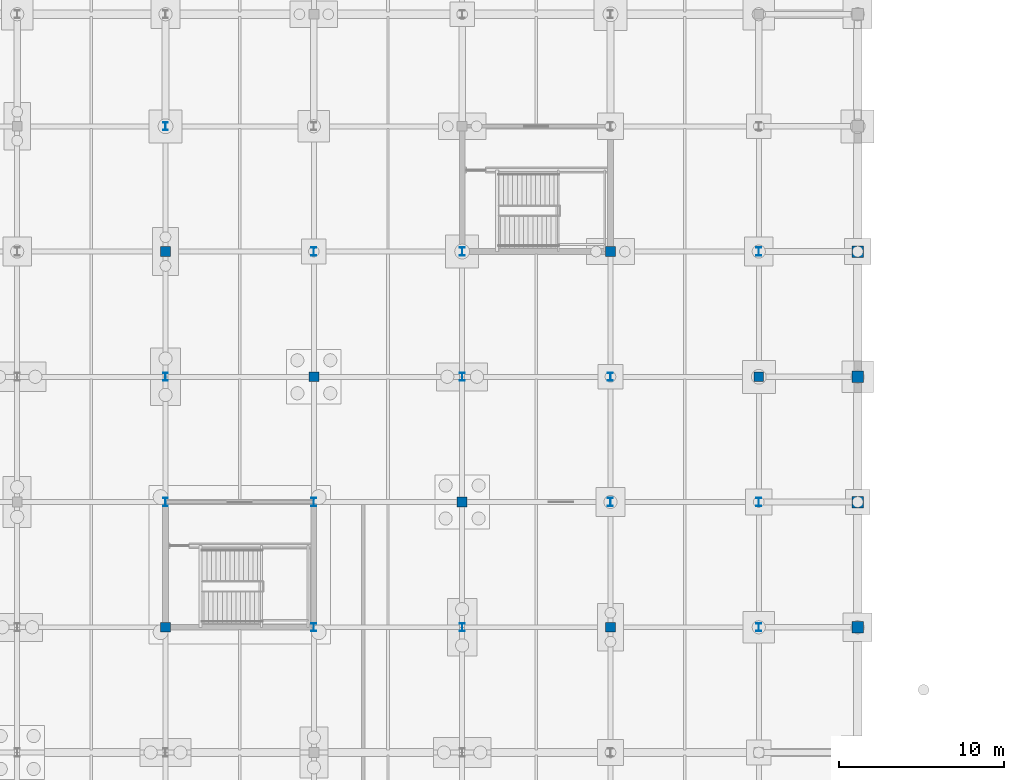
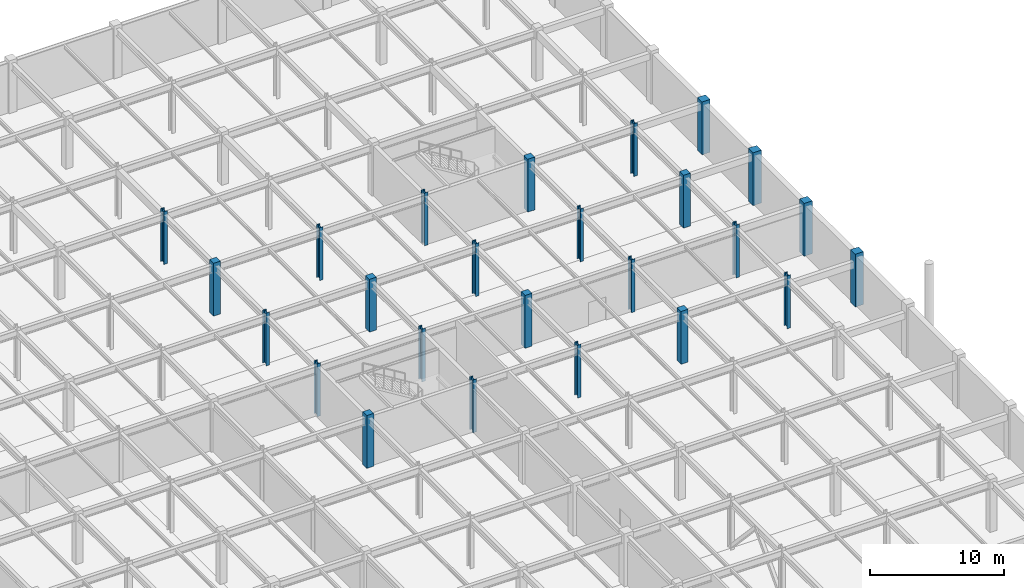
# One storey, part 27 of 53: 25 columns.
"""IFC4 building model written with IfcOpenShell, lengths in metres."""

from ifc_helpers import new_model, si_unit, direction, frame, origin, origin_2d, place, context, subcontext, project, spatial, rectangle, i_section, extrude, material, material_profile, profile_set, type_object, element, save


model = new_model("IFC4")

# Units and contexts
model_context = context("Model", 3, precision=1e-05, world=origin(), true_north=direction((0.0, 1.0)))
body_context = subcontext(model_context, "Body", "Model", "MODEL_VIEW")
ifc_project = project(units=[si_unit("LENGTHUNIT", "METRE"), si_unit("AREAUNIT", "SQUARE_METRE"), si_unit("VOLUMEUNIT", "CUBIC_METRE"), si_unit("PLANEANGLEUNIT", "RADIAN"), si_unit("MASSUNIT", "GRAM", prefix="KILO")], contexts=[model_context])

# Site, building, storey
site_placement = place(None, origin())
site = spatial("IfcSite", under=ifc_project, at=site_placement, CompositionType="ELEMENT")
building_placement = place(site_placement, origin())
building = spatial("IfcBuilding", under=site, at=building_placement, Name="Shalkamar Park Central Library", CompositionType="ELEMENT")
storey_placement = place(building_placement, frame((0.0, 0.0, -4.800048828125)))
storey = spatial("IfcBuildingStorey", under=building, at=storey_placement, Name="B1", CompositionType="ELEMENT", Elevation=-4.800048828125)

# Columns
ifc_material_1 = material(Name="Concrete C40/50", Category="concrete")
ifc_material_profile_1 = material_profile(ifc_material_1, rectangle(XDim=0.60009765625, YDim=0.60009765625, at=origin_2d()), Name="RC 600x600")
ifc_profile_set_1 = profile_set([ifc_material_profile_1], Name="Concrete C40/50")
column_type_1 = type_object("IfcColumnType", Name="Column Concrete RC600", PredefinedType="COLUMN", material=ifc_profile_set_1)
for number, where, z_axis, x_axis, name in (
    (1, (246.0, 300.800048828125, 0.0), (0.0, 0.0, 1.0), (1.0, 0.0, 0.0), "Column 17/J (B1)"),
    (2, (246.0, 323.60009765625, 0.0), (0.0, 0.0, 1.0), (1.0, 0.0, 0.0), "Column 17/M (B1)"),
    (3, (255.0, 316.0, 0.0), (0.0, 0.0, 1.0), (1.0, 0.0, 0.0), "Column 18/L (B1)"),
    (4, (264.0, 308.39990234375, 0.0), (0.0, 0.0, 1.0), (1.0, 0.0, 0.0), "Column 19/K (B1)"),
    (5, (273.0, 300.800048828125, 0.0), (0.0, 0.0, 1.0), (1.0, 0.0, 0.0), "Column 20/J (B1)"),
    (6, (273.0, 323.60009765625, 0.0), (0.0, 0.0, 1.0), (1.0, 0.0, 0.0), "Column 20/M (B1)"),
    (7, (282.0, 316.0, 0.0), (0.0, 0.0, 1.0), (1.0, 0.0, 0.0), "Column 21/L (B1)"),
):
    element("IfcColumn", number, at=place(storey_placement, frame(where, z_axis=z_axis, x_axis=x_axis)), inside=storey, type_object=column_type_1, Name=name, PredefinedType="COLUMN", context=body_context, shape_type="SweptSolid", body=[
        extrude(rectangle(XDim=0.60009765625, YDim=0.60009765625, at=origin_2d()), origin(), (0.0, 0.0, 1.0), 4.800048828125),
    ])
ifc_material_profile_2 = material_profile(ifc_material_1, rectangle(XDim=0.699951171875, YDim=0.699951171875, at=origin_2d()), Name="RC 700x700")
ifc_profile_set_2 = profile_set([ifc_material_profile_2], Name="Concrete C40/50")
column_type_2 = type_object("IfcColumnType", Name="Column Concrete RC700", PredefinedType="COLUMN", material=ifc_profile_set_2)
for number, where, z_axis, x_axis, name in (
    (8, (288.0, 300.800048828125, 0.0), (0.0, 0.0, 1.0), (1.0, 0.0, 0.0), "Column 22/J (B1)"),
    (9, (288.0, 308.39990234375, 0.0), (0.0, 0.0, 1.0), (1.0, 0.0, 0.0), "Column 22/K (B1)"),
    (10, (288.0, 316.0, 0.0), (0.0, 0.0, 1.0), (1.0, 0.0, 0.0), "Column 22/L (B1)"),
    (11, (288.0, 323.60009765625, 0.0), (0.0, 0.0, 1.0), (1.0, 0.0, 0.0), "Column 22/M (B1)"),
):
    element("IfcColumn", number, at=place(storey_placement, frame(where, z_axis=z_axis, x_axis=x_axis)), inside=storey, type_object=column_type_2, Name=name, PredefinedType="COLUMN", context=body_context, shape_type="SweptSolid", body=[
        extrude(rectangle(XDim=0.699951171875, YDim=0.699951171875, at=origin_2d()), origin(), (0.0, 0.0, 1.0), 4.800048828125),
    ])
ifc_material_2 = material(Name="Steel S355", Category="steel")
ifc_material_profile_3 = material_profile(ifc_material_2, i_section(OverallWidth=0.300048828125, OverallDepth=0.5, WebThickness=0.014404296875, FlangeThickness=0.028076171875, FilletRadius=0.027099609375, at=origin_2d()), Name="HEB 500")
ifc_profile_set_3 = profile_set([ifc_material_profile_3], Name="Steel S355")
column_type_3 = type_object("IfcColumnType", Name="Column Steel HEB500", PredefinedType="COLUMN", material=ifc_profile_set_3)
for number, where, z_axis, x_axis, name in (
    (12, (246.0, 308.39990234375, 0.0), (0.0, 0.0, 1.0), (1.0, 0.0, 0.0), "Column 17/K (B1)"),
    (13, (246.0, 316.0, 0.0), (0.0, 0.0, 1.0), (1.0, 0.0, 0.0), "Column 17/L (B1)"),
    (14, (246.0, 331.199951171875, 0.0), (0.0, 0.0, 1.0), (1.0, 0.0, 0.0), "Column 17/N (B1)"),
    (15, (255.0, 300.800048828125, 0.0), (0.0, 0.0, 1.0), (1.0, 0.0, 0.0), "Column 18/J (B1)"),
    (16, (255.0, 308.39990234375, 0.0), (0.0, 0.0, 1.0), (1.0, 0.0, 0.0), "Column 18/K (B1)"),
    (17, (255.0, 323.60009765625, 0.0), (0.0, 0.0, 1.0), (1.0, 0.0, 0.0), "Column 18/M (B1)"),
    (18, (264.0, 300.800048828125, 0.0), (0.0, 0.0, 1.0), (1.0, 0.0, 0.0), "Column 19/J (B1)"),
    (19, (264.0, 316.0, 0.0), (0.0, 0.0, 1.0), (1.0, 0.0, 0.0), "Column 19/L (B1)"),
    (20, (264.0, 323.60009765625, 0.0), (0.0, 0.0, 1.0), (1.0, 0.0, 0.0), "Column 19/M (B1)"),
    (21, (273.0, 308.39990234375, 0.0), (0.0, 0.0, 1.0), (1.0, 0.0, 0.0), "Column 20/K (B1)"),
    (22, (273.0, 316.0, 0.0), (0.0, 0.0, 1.0), (1.0, 0.0, 0.0), "Column 20/L (B1)"),
    (23, (282.0, 300.800048828125, 0.0), (0.0, 0.0, 1.0), (1.0, 0.0, 0.0), "Column 21/J (B1)"),
    (24, (282.0, 308.39990234375, 0.0), (0.0, 0.0, 1.0), (1.0, 0.0, 0.0), "Column 21/K (B1)"),
    (25, (282.0, 323.60009765625, 0.0), (0.0, 0.0, 1.0), (1.0, 0.0, 0.0), "Column 21/M (B1)"),
):
    element("IfcColumn", number, at=place(storey_placement, frame(where, z_axis=z_axis, x_axis=x_axis)), inside=storey, type_object=column_type_3, Name=name, PredefinedType="COLUMN", context=body_context, shape_type="SweptSolid", body=[
        extrude(i_section(OverallWidth=0.300048828125, OverallDepth=0.5, WebThickness=0.014404296875, FlangeThickness=0.028076171875, FilletRadius=0.027099609375, at=origin_2d()), origin(), (0.0, 0.0, 1.0), 4.800048828125),
    ])

save(model, "model.ifc")
